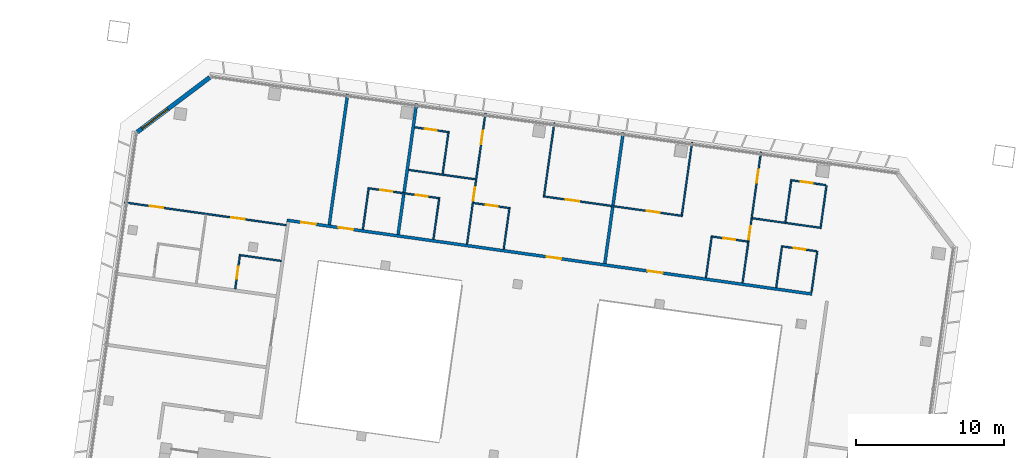
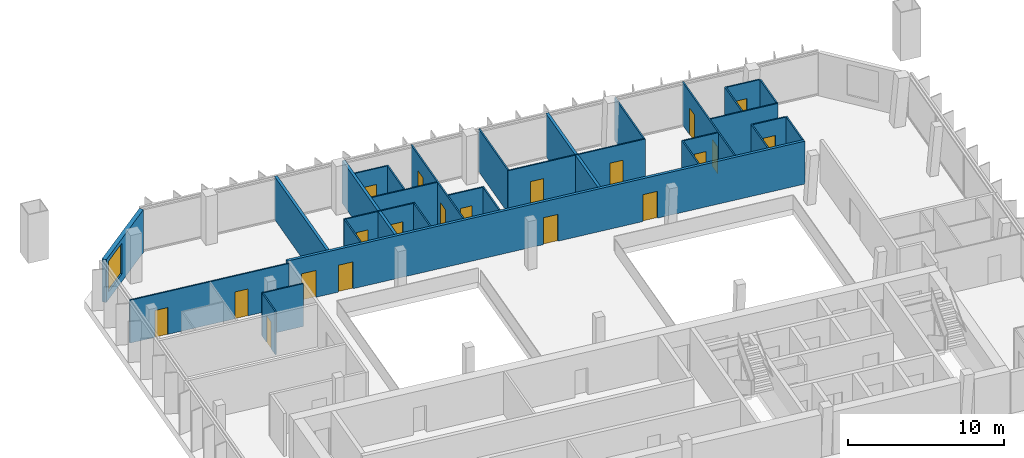
# One storey, part 15 of 22: 30 walls, 20 doors, 1 window, 21 openings.
"""IFC4 building model written with IfcOpenShell, lengths in metres."""

from ifc_helpers import new_model, si_unit, direction, frame, frame_2d, origin, place, context, subcontext, project, spatial, rectangle, extrude, material, layer, layer_set, type_object, element, fill, save


model = new_model("IFC4")

# Units and contexts
model_context = context("Model", 3, precision=1e-05, world=origin(), true_north=direction((0.0, 1.0)))
body_context = subcontext(model_context, "Body", "Model", "MODEL_VIEW")
ifc_project = project(units=[si_unit("LENGTHUNIT", "METRE"), si_unit("AREAUNIT", "SQUARE_METRE"), si_unit("VOLUMEUNIT", "CUBIC_METRE"), si_unit("PLANEANGLEUNIT", "RADIAN"), si_unit("MASSUNIT", "GRAM", prefix="KILO")], contexts=[model_context])

# Site, building, storey
site_placement = place(None, origin())
site = spatial("IfcSite", under=ifc_project, at=site_placement, CompositionType="ELEMENT")
building_placement = place(site_placement, origin())
building = spatial("IfcBuilding", under=site, at=building_placement, Name="Mirante Cascada Hotel Towers", CompositionType="ELEMENT")
storey_placement = place(building_placement, frame((0.0, 0.0, 191.6)))
storey = spatial("IfcBuildingStorey", under=building, at=storey_placement, Name="L45", CompositionType="ELEMENT", Elevation=191.6)

# Wall, openings, doors
ifc_material_1 = material(Name="Fire-rated plasterboard on metal studs")
ifc_layer_1 = layer(ifc_material_1, 0.2)
ifc_layer_set_1 = layer_set([ifc_layer_1], Name="Compartment wall 200 EI 120")
wall_type_1 = type_object("IfcWallType", Name="Compartment wall 200 EI 120", PredefinedType="PARTITIONING", material=ifc_layer_set_1)
wall_1_placement = place(storey_placement, frame((-71.1898, 13.8871, 0.0), z_axis=(0.0, 0.0, 1.0), x_axis=(0.9902683, -0.1391713, 0.0)))
wall_1 = element("IfcWall", 1, at=wall_1_placement, inside=storey, type_object=wall_type_1, Name="Wall 1-L45-15", PredefinedType="PARTITIONING", context=body_context, shape_type="SweptSolid", body=[
    extrude(rectangle(XDim=35.7322, YDim=0.2, at=frame_2d((17.8661, 0.0))), origin(), (0.0, 0.0, 1.0), 3.35),
])
opening_1_placement = place(wall_1_placement, frame((24.5615, 0.0, 0.0)))
opening_1 = element("IfcOpeningElement", 2, at=opening_1_placement, cuts=wall_1, Name="Opening D1-L45-06", PredefinedType="OPENING", context=body_context, shape_type="SweptSolid", body=[
    extrude(rectangle(XDim=1.0, YDim=2.1, at=frame_2d((0.5, 1.05))), frame((0.0, 0.1, 0.0), z_axis=(0.0, -1.0, 0.0), x_axis=(1.0, 0.0, 0.0)), (0.0, 0.0, 1.0), 0.2),
])
opening_2_placement = place(wall_1_placement, frame((17.6814, 0.0, 0.0)))
opening_2 = element("IfcOpeningElement", 3, at=opening_2_placement, cuts=wall_1, Name="Opening D1-L45-07", PredefinedType="OPENING", context=body_context, shape_type="SweptSolid", body=[
    extrude(rectangle(XDim=1.0, YDim=2.1, at=frame_2d((0.5, 1.05))), frame((0.0, 0.1, 0.0), z_axis=(0.0, -1.0, 0.0), x_axis=(1.0, 0.0, 0.0)), (0.0, 0.0, 1.0), 0.2),
])
opening_3_placement = place(wall_1_placement, frame((3.5173, 0.0, 0.0)))
opening_3 = element("IfcOpeningElement", 4, at=opening_3_placement, cuts=wall_1, Name="Opening D1-L45-08", PredefinedType="OPENING", context=body_context, shape_type="SweptSolid", body=[
    extrude(rectangle(XDim=1.0, YDim=2.1, at=frame_2d((0.5, 1.05))), frame((0.0, 0.1, 0.0), z_axis=(0.0, -1.0, 0.0), x_axis=(1.0, 0.0, 0.0)), (0.0, 0.0, 1.0), 0.2),
])
opening_4_placement = place(wall_1_placement, frame((0.9869, 0.0, 0.0)))
opening_4 = element("IfcOpeningElement", 5, at=opening_4_placement, cuts=wall_1, Name="Opening D1-L45-09", PredefinedType="OPENING", context=body_context, shape_type="SweptSolid", body=[
    extrude(rectangle(XDim=1.0, YDim=2.1, at=frame_2d((0.5, 1.05))), frame((0.0, 0.1, 0.0), z_axis=(0.0, -1.0, 0.0), x_axis=(1.0, 0.0, 0.0)), (0.0, 0.0, 1.0), 0.2),
])
ifc_material_2 = material(Name="Fire-rated timber door leaf", Category="wood")
door_type_1 = type_object("IfcDoorType", Name="Entrance door DG1 1000x2100 EI 60", OperationType="SINGLE_SWING_LEFT", PredefinedType="DOOR", material=ifc_material_2)
door_1_placement = place(opening_1_placement, origin())
door_1 = element("IfcDoor", 6, at=door_1_placement, inside=storey, type_object=door_type_1, Name="Door D1-L45-06", OperationType="SINGLE_SWING_LEFT", OverallHeight=2.1, OverallWidth=1.0, PredefinedType="DOOR", context=body_context, shape_type="SweptSolid", body=[
    extrude(rectangle(XDim=1.0, YDim=2.1, at=frame_2d((0.5, 1.05))), frame((0.0, 0.025, 0.0), z_axis=(0.0, -1.0, 0.0), x_axis=(1.0, 0.0, 0.0)), (0.0, 0.0, 1.0), 0.05),
])
fill(opening_1, door_1)
door_2_placement = place(opening_2_placement, origin())
door_2 = element("IfcDoor", 7, at=door_2_placement, inside=storey, type_object=door_type_1, Name="Door D1-L45-07", OperationType="SINGLE_SWING_LEFT", OverallHeight=2.1, OverallWidth=1.0, PredefinedType="DOOR", context=body_context, shape_type="SweptSolid", body=[
    extrude(rectangle(XDim=1.0, YDim=2.1, at=frame_2d((0.5, 1.05))), frame((0.0, 0.025, 0.0), z_axis=(0.0, -1.0, 0.0), x_axis=(1.0, 0.0, 0.0)), (0.0, 0.0, 1.0), 0.05),
])
fill(opening_2, door_2)
door_3_placement = place(opening_3_placement, origin())
door_3 = element("IfcDoor", 8, at=door_3_placement, inside=storey, type_object=door_type_1, Name="Door D1-L45-08", OperationType="SINGLE_SWING_LEFT", OverallHeight=2.1, OverallWidth=1.0, PredefinedType="DOOR", context=body_context, shape_type="SweptSolid", body=[
    extrude(rectangle(XDim=1.0, YDim=2.1, at=frame_2d((0.5, 1.05))), frame((0.0, 0.025, 0.0), z_axis=(0.0, -1.0, 0.0), x_axis=(1.0, 0.0, 0.0)), (0.0, 0.0, 1.0), 0.05),
])
fill(opening_3, door_3)
door_4_placement = place(opening_4_placement, origin())
door_4 = element("IfcDoor", 9, at=door_4_placement, inside=storey, type_object=door_type_1, Name="Door D1-L45-09", OperationType="SINGLE_SWING_LEFT", OverallHeight=2.1, OverallWidth=1.0, PredefinedType="DOOR", context=body_context, shape_type="SweptSolid", body=[
    extrude(rectangle(XDim=1.0, YDim=2.1, at=frame_2d((0.5, 1.05))), frame((0.0, 0.025, 0.0), z_axis=(0.0, -1.0, 0.0), x_axis=(1.0, 0.0, 0.0)), (0.0, 0.0, 1.0), 0.05),
])
fill(opening_4, door_4)

# Walls
for number, where, z_axis, x_axis, name in (
    (10, (-49.7649, 10.977, 0.0), (0.0, 0.0, 1.0), (0.1391684, 0.9902687, 0.0), "Wall 1-L45-38"),
    (11, (-63.6888, 12.9339, 0.0), (0.0, 0.0, 1.0), (0.1391794, 0.9902672, 0.0), "Wall 1-L45-44"),
    (12, (-68.33, 13.5862, 0.0), (0.0, 0.0, 1.0), (0.1391684, 0.9902687, 0.0), "Wall 1-L45-46"),
):
    element("IfcWall", number, at=place(storey_placement, frame(where, z_axis=z_axis, x_axis=x_axis)), inside=storey, type_object=wall_type_1, Name=name, PredefinedType="PARTITIONING", context=body_context, shape_type="SweptSolid", body=[
        extrude(rectangle(XDim=8.9, YDim=0.2, at=frame_2d((4.45, 0.0))), origin(), (0.0, 0.0, 1.0), 3.35),
    ])
ifc_material_3 = material(Name="Plasterboard on metal studs")
ifc_layer_2 = layer(ifc_material_3, 0.1)
ifc_layer_set_2 = layer_set([ifc_layer_2], Name="Partition 100")
wall_type_2 = type_object("IfcWallType", Name="Partition 100", PredefinedType="PARTITIONING", material=ifc_layer_set_2)
wall_2_placement = place(storey_placement, frame((-71.5748, 11.1473, 0.0), z_axis=(0.0, 0.0, 1.0), x_axis=(-0.9902656, 0.1391909, 0.0)))
element("IfcWall", 13, at=wall_2_placement, inside=storey, type_object=wall_type_2, Name="Wall 1-L45-12", PredefinedType="PARTITIONING", context=body_context, shape_type="SweptSolid", body=[
    extrude(rectangle(XDim=2.85, YDim=0.1, at=frame_2d((1.425, 0.0))), origin(), (0.0, 0.0, 1.0), 3.35),
])

# Wall, openings, doors
wall_3_placement = place(storey_placement, frame((-71.2362, 13.5571, 0.0), z_axis=(0.0, 0.0, 1.0), x_axis=(-0.990268, 0.1391733, 0.0)))
wall_3 = element("IfcWall", 14, at=wall_3_placement, inside=storey, type_object=wall_type_2, Name="Wall 1-L45-14", PredefinedType="PARTITIONING", context=body_context, shape_type="SweptSolid", body=[
    extrude(rectangle(XDim=11.0, YDim=0.1, at=frame_2d((5.5, 0.0))), origin(), (0.0, 0.0, 1.0), 3.35),
])
opening_5_placement = place(wall_3_placement, frame((2.825, 0.0, 0.0)))
opening_5 = element("IfcOpeningElement", 15, at=opening_5_placement, cuts=wall_3, Name="Opening D1-L45-04", PredefinedType="OPENING", context=body_context, shape_type="SweptSolid", body=[
    extrude(rectangle(XDim=0.9, YDim=2.1, at=frame_2d((0.45, 1.05))), frame((0.0, 0.05, 0.0), z_axis=(0.0, -1.0, 0.0), x_axis=(1.0, 0.0, 0.0)), (0.0, 0.0, 1.0), 0.1),
])
opening_6_placement = place(wall_3_placement, frame((8.375, 0.0, 0.0)))
opening_6 = element("IfcOpeningElement", 16, at=opening_6_placement, cuts=wall_3, Name="Opening D1-L45-05", PredefinedType="OPENING", context=body_context, shape_type="SweptSolid", body=[
    extrude(rectangle(XDim=0.9, YDim=2.1, at=frame_2d((0.45, 1.05))), frame((0.0, 0.05, 0.0), z_axis=(0.0, -1.0, 0.0), x_axis=(1.0, 0.0, 0.0)), (0.0, 0.0, 1.0), 0.1),
])
ifc_material_4 = material(Name="Timber door leaf", Category="wood")
door_type_2 = type_object("IfcDoorType", Name="Room door DG3 900x2100", OperationType="SINGLE_SWING_LEFT", PredefinedType="DOOR", material=ifc_material_4)
door_5_placement = place(opening_5_placement, frame((0.9, 0.0, 0.0), z_axis=(0.0, 0.0, 1.0), x_axis=(-1.0, 0.0, 0.0)))
door_5 = element("IfcDoor", 17, at=door_5_placement, inside=storey, type_object=door_type_2, Name="Door D1-L45-04", OperationType="SINGLE_SWING_RIGHT", OverallHeight=2.1, OverallWidth=0.9, PredefinedType="DOOR", context=body_context, shape_type="SweptSolid", body=[
    extrude(rectangle(XDim=0.9, YDim=2.1, at=frame_2d((0.45, 1.05))), frame((0.0, 0.025, 0.0), z_axis=(0.0, -1.0, 0.0), x_axis=(1.0, 0.0, 0.0)), (0.0, 0.0, 1.0), 0.05),
])
fill(opening_5, door_5)
door_6_placement = place(opening_6_placement, frame((0.9, 0.0, 0.0), z_axis=(0.0, 0.0, 1.0), x_axis=(-1.0, 0.0, 0.0)))
door_6 = element("IfcDoor", 18, at=door_6_placement, inside=storey, type_object=door_type_2, Name="Door D1-L45-05", OperationType="SINGLE_SWING_RIGHT", OverallHeight=2.1, OverallWidth=0.9, PredefinedType="DOOR", context=body_context, shape_type="SweptSolid", body=[
    extrude(rectangle(XDim=0.9, YDim=2.1, at=frame_2d((0.45, 1.05))), frame((0.0, 0.025, 0.0), z_axis=(0.0, -1.0, 0.0), x_axis=(1.0, 0.0, 0.0)), (0.0, 0.0, 1.0), 0.05),
])
fill(opening_6, door_6)

# Wall, opening, door
wall_4_placement = place(storey_placement, frame((-35.5008, 11.7999, 0.0), z_axis=(0.0, 0.0, 1.0), x_axis=(-0.9902678, 0.1391749, 0.0)))
wall_4 = element("IfcWall", 19, at=wall_4_placement, inside=storey, type_object=wall_type_2, Name="Wall 1-L45-16", PredefinedType="PARTITIONING", context=body_context, shape_type="SweptSolid", body=[
    extrude(rectangle(XDim=2.3, YDim=0.1, at=frame_2d((1.15, 0.0))), origin(), (0.0, 0.0, 1.0), 3.35),
])
opening_7_placement = place(wall_4_placement, frame((0.75, 0.0, 0.0)))
opening_7 = element("IfcOpeningElement", 20, at=opening_7_placement, cuts=wall_4, Name="Opening D1-L45-10", PredefinedType="OPENING", context=body_context, shape_type="SweptSolid", body=[
    extrude(rectangle(XDim=0.8, YDim=2.1, at=frame_2d((0.4, 1.05))), frame((0.0, 0.05, 0.0), z_axis=(0.0, -1.0, 0.0), x_axis=(1.0, 0.0, 0.0)), (0.0, 0.0, 1.0), 0.1),
])
ifc_material_5 = material(Name="Timber door leaf", Category="wood")
door_type_3 = type_object("IfcDoorType", Name="Bathroom door DG4 800x2100", OperationType="SINGLE_SWING_LEFT", PredefinedType="DOOR", material=ifc_material_5)
door_7_placement = place(opening_7_placement, origin())
door_7 = element("IfcDoor", 21, at=door_7_placement, inside=storey, type_object=door_type_3, Name="Door D1-L45-10", OperationType="SINGLE_SWING_LEFT", OverallHeight=2.1, OverallWidth=0.8, PredefinedType="DOOR", context=body_context, shape_type="SweptSolid", body=[
    extrude(rectangle(XDim=0.8, YDim=2.1, at=frame_2d((0.4, 1.05))), frame((0.0, 0.025, 0.0), z_axis=(0.0, -1.0, 0.0), x_axis=(1.0, 0.0, 0.0)), (0.0, 0.0, 1.0), 0.05),
])
fill(opening_7, door_7)

wall_5_placement = place(storey_placement, frame((-42.5126, 12.7853, 0.0), z_axis=(0.0, 0.0, 1.0), x_axis=(0.9902653, -0.1391927, 0.0)))
wall_5 = element("IfcWall", 22, at=wall_5_placement, inside=storey, type_object=wall_type_2, Name="Wall 1-L45-17", PredefinedType="PARTITIONING", context=body_context, shape_type="SweptSolid", body=[
    extrude(rectangle(XDim=2.3938, YDim=0.1, at=frame_2d((1.1969, 0.0))), origin(), (0.0, 0.0, 1.0), 3.35),
])
opening_8_placement = place(wall_5_placement, frame((0.75, 0.0, 0.0)))
opening_8 = element("IfcOpeningElement", 23, at=opening_8_placement, cuts=wall_5, Name="Opening D1-L45-11", PredefinedType="OPENING", context=body_context, shape_type="SweptSolid", body=[
    extrude(rectangle(XDim=0.8, YDim=2.1, at=frame_2d((0.4, 1.05))), frame((0.0, 0.05, 0.0), z_axis=(0.0, -1.0, 0.0), x_axis=(1.0, 0.0, 0.0)), (0.0, 0.0, 1.0), 0.1),
])
door_8_placement = place(opening_8_placement, origin())
door_8 = element("IfcDoor", 24, at=door_8_placement, inside=storey, type_object=door_type_3, Name="Door D1-L45-11", OperationType="SINGLE_SWING_LEFT", OverallHeight=2.1, OverallWidth=0.8, PredefinedType="DOOR", context=body_context, shape_type="SweptSolid", body=[
    extrude(rectangle(XDim=0.8, YDim=2.1, at=frame_2d((0.4, 1.05))), frame((0.0, 0.025, 0.0), z_axis=(0.0, -1.0, 0.0), x_axis=(1.0, 0.0, 0.0)), (0.0, 0.0, 1.0), 0.05),
])
fill(opening_8, door_8)

wall_6_placement = place(storey_placement, frame((-56.2378, 14.7143, 0.0), z_axis=(0.0, 0.0, 1.0), x_axis=(-0.9902711, 0.1391518, 0.0)))
wall_6 = element("IfcWall", 25, at=wall_6_placement, inside=storey, type_object=wall_type_2, Name="Wall 1-L45-18", PredefinedType="PARTITIONING", context=body_context, shape_type="SweptSolid", body=[
    extrude(rectangle(XDim=2.3938, YDim=0.1, at=frame_2d((1.1969, 0.0))), origin(), (0.0, 0.0, 1.0), 3.35),
])
opening_9_placement = place(wall_6_placement, frame((0.75, 0.0, 0.0)))
opening_9 = element("IfcOpeningElement", 26, at=opening_9_placement, cuts=wall_6, Name="Opening D1-L45-12", PredefinedType="OPENING", context=body_context, shape_type="SweptSolid", body=[
    extrude(rectangle(XDim=0.8, YDim=2.1, at=frame_2d((0.4, 1.05))), frame((0.0, 0.05, 0.0), z_axis=(0.0, -1.0, 0.0), x_axis=(1.0, 0.0, 0.0)), (0.0, 0.0, 1.0), 0.1),
])
door_9_placement = place(opening_9_placement, frame((0.8, 0.0, 0.0), z_axis=(0.0, 0.0, 1.0), x_axis=(-1.0, 0.0, 0.0)))
door_9 = element("IfcDoor", 27, at=door_9_placement, inside=storey, type_object=door_type_3, Name="Door D1-L45-12", OperationType="SINGLE_SWING_RIGHT", OverallHeight=2.1, OverallWidth=0.8, PredefinedType="DOOR", context=body_context, shape_type="SweptSolid", body=[
    extrude(rectangle(XDim=0.8, YDim=2.1, at=frame_2d((0.4, 1.05))), frame((0.0, 0.025, 0.0), z_axis=(0.0, -1.0, 0.0), x_axis=(1.0, 0.0, 0.0)), (0.0, 0.0, 1.0), 0.05),
])
fill(opening_9, door_9)

# Wall, openings, doors
wall_7_placement = place(storey_placement, frame((-65.7252, 16.0476, 0.0), z_axis=(0.0, 0.0, 1.0), x_axis=(0.9902694, -0.1391638, 0.0)))
wall_7 = element("IfcWall", 28, at=wall_7_placement, inside=storey, type_object=wall_type_2, Name="Wall 1-L45-19", PredefinedType="PARTITIONING", context=body_context, shape_type="SweptSolid", body=[
    extrude(rectangle(XDim=4.9, YDim=0.1, at=frame_2d((2.45, 0.0))), origin(), (0.0, 0.0, 1.0), 3.35),
])
opening_10_placement = place(wall_7_placement, frame((3.25, 0.0, 0.0)))
opening_10 = element("IfcOpeningElement", 29, at=opening_10_placement, cuts=wall_7, Name="Opening D1-L45-13", PredefinedType="OPENING", context=body_context, shape_type="SweptSolid", body=[
    extrude(rectangle(XDim=0.8, YDim=2.1, at=frame_2d((0.4, 1.05))), frame((0.0, 0.05, 0.0), z_axis=(0.0, -1.0, 0.0), x_axis=(1.0, 0.0, 0.0)), (0.0, 0.0, 1.0), 0.1),
])
opening_11_placement = place(wall_7_placement, frame((0.85, 0.0, 0.0)))
opening_11 = element("IfcOpeningElement", 30, at=opening_11_placement, cuts=wall_7, Name="Opening D1-L45-14", PredefinedType="OPENING", context=body_context, shape_type="SweptSolid", body=[
    extrude(rectangle(XDim=0.8, YDim=2.1, at=frame_2d((0.4, 1.05))), frame((0.0, 0.05, 0.0), z_axis=(0.0, -1.0, 0.0), x_axis=(1.0, 0.0, 0.0)), (0.0, 0.0, 1.0), 0.1),
])
door_10_placement = place(opening_10_placement, frame((0.8, 0.0, 0.0), z_axis=(0.0, 0.0, 1.0), x_axis=(-1.0, 0.0, 0.0)))
door_10 = element("IfcDoor", 31, at=door_10_placement, inside=storey, type_object=door_type_3, Name="Door D1-L45-13", OperationType="SINGLE_SWING_RIGHT", OverallHeight=2.1, OverallWidth=0.8, PredefinedType="DOOR", context=body_context, shape_type="SweptSolid", body=[
    extrude(rectangle(XDim=0.8, YDim=2.1, at=frame_2d((0.4, 1.05))), frame((0.0, 0.025, 0.0), z_axis=(0.0, -1.0, 0.0), x_axis=(1.0, 0.0, 0.0)), (0.0, 0.0, 1.0), 0.05),
])
fill(opening_10, door_10)
door_11_placement = place(opening_11_placement, origin())
door_11 = element("IfcDoor", 32, at=door_11_placement, inside=storey, type_object=door_type_3, Name="Door D1-L45-14", OperationType="SINGLE_SWING_LEFT", OverallHeight=2.1, OverallWidth=0.8, PredefinedType="DOOR", context=body_context, shape_type="SweptSolid", body=[
    extrude(rectangle(XDim=0.8, YDim=2.1, at=frame_2d((0.4, 1.05))), frame((0.0, 0.025, 0.0), z_axis=(0.0, -1.0, 0.0), x_axis=(1.0, 0.0, 0.0)), (0.0, 0.0, 1.0), 0.05),
])
fill(opening_11, door_11)

wall_8_placement = place(storey_placement, frame((-44.5312, 14.1798, 0.0), z_axis=(0.0, 0.0, 1.0), x_axis=(-0.9902682, 0.1391719, 0.0)))
wall_8 = element("IfcWall", 33, at=wall_8_placement, inside=storey, type_object=wall_type_2, Name="Wall 1-L45-20", PredefinedType="PARTITIONING", context=body_context, shape_type="SweptSolid", body=[
    extrude(rectangle(XDim=9.4739, YDim=0.1, at=frame_2d((4.737, 0.0))), origin(), (0.0, 0.0, 1.0), 3.35),
])
opening_12_placement = place(wall_8_placement, frame((1.537, 0.0, 0.0)))
opening_12 = element("IfcOpeningElement", 34, at=opening_12_placement, cuts=wall_8, Name="Opening D1-L45-15", PredefinedType="OPENING", context=body_context, shape_type="SweptSolid", body=[
    extrude(rectangle(XDim=0.9, YDim=2.1, at=frame_2d((0.45, 1.05))), frame((0.0, 0.05, 0.0), z_axis=(0.0, -1.0, 0.0), x_axis=(1.0, 0.0, 0.0)), (0.0, 0.0, 1.0), 0.1),
])
opening_13_placement = place(wall_8_placement, frame((7.037, 0.0, 0.0)))
opening_13 = element("IfcOpeningElement", 35, at=opening_13_placement, cuts=wall_8, Name="Opening D1-L45-16", PredefinedType="OPENING", context=body_context, shape_type="SweptSolid", body=[
    extrude(rectangle(XDim=0.9, YDim=2.1, at=frame_2d((0.45, 1.05))), frame((0.0, 0.05, 0.0), z_axis=(0.0, -1.0, 0.0), x_axis=(1.0, 0.0, 0.0)), (0.0, 0.0, 1.0), 0.1),
])
door_12_placement = place(opening_12_placement, frame((0.9, 0.0, 0.0), z_axis=(0.0, 0.0, 1.0), x_axis=(-1.0, 0.0, 0.0)))
door_12 = element("IfcDoor", 36, at=door_12_placement, inside=storey, type_object=door_type_2, Name="Door D1-L45-15", OperationType="SINGLE_SWING_RIGHT", OverallHeight=2.1, OverallWidth=0.9, PredefinedType="DOOR", context=body_context, shape_type="SweptSolid", body=[
    extrude(rectangle(XDim=0.9, YDim=2.1, at=frame_2d((0.45, 1.05))), frame((0.0, 0.025, 0.0), z_axis=(0.0, -1.0, 0.0), x_axis=(1.0, 0.0, 0.0)), (0.0, 0.0, 1.0), 0.05),
])
fill(opening_12, door_12)
door_13_placement = place(opening_13_placement, frame((0.9, 0.0, 0.0), z_axis=(0.0, 0.0, 1.0), x_axis=(-1.0, 0.0, 0.0)))
door_13 = element("IfcDoor", 37, at=door_13_placement, inside=storey, type_object=door_type_2, Name="Door D1-L45-16", OperationType="SINGLE_SWING_RIGHT", OverallHeight=2.1, OverallWidth=0.9, PredefinedType="DOOR", context=body_context, shape_type="SweptSolid", body=[
    extrude(rectangle(XDim=0.9, YDim=2.1, at=frame_2d((0.45, 1.05))), frame((0.0, 0.025, 0.0), z_axis=(0.0, -1.0, 0.0), x_axis=(1.0, 0.0, 0.0)), (0.0, 0.0, 1.0), 0.05),
])
fill(opening_13, door_13)

# Walls
wall_9_placement = place(storey_placement, frame((-39.8203, 14.0227, 0.0), z_axis=(0.0, 0.0, 1.0), x_axis=(0.9902674, -0.1391777, 0.0)))
element("IfcWall", 38, at=wall_9_placement, inside=storey, type_object=wall_type_2, Name="Wall 1-L45-21", PredefinedType="PARTITIONING", context=body_context, shape_type="SweptSolid", body=[
    extrude(rectangle(XDim=4.6868, YDim=0.1, at=frame_2d((2.3434, 0.0))), origin(), (0.0, 0.0, 1.0), 3.35),
])
wall_10_placement = place(storey_placement, frame((-58.4846, 16.6458, 0.0), z_axis=(0.0, 0.0, 1.0), x_axis=(-0.9902687, 0.1391684, 0.0)))
element("IfcWall", 39, at=wall_10_placement, inside=storey, type_object=wall_type_2, Name="Wall 1-L45-22", PredefinedType="PARTITIONING", context=body_context, shape_type="SweptSolid", body=[
    extrude(rectangle(XDim=4.537, YDim=0.1, at=frame_2d((2.2685, 0.0))), origin(), (0.0, 0.0, 1.0), 3.35),
])

# Wall, opening, door
wall_11_placement = place(storey_placement, frame((-37.1521, 16.5762, 0.0), z_axis=(0.0, 0.0, 1.0), x_axis=(0.9902678, -0.1391749, 0.0)))
wall_11 = element("IfcWall", 40, at=wall_11_placement, inside=storey, type_object=wall_type_2, Name="Wall 1-L45-23", PredefinedType="PARTITIONING", context=body_context, shape_type="SweptSolid", body=[
    extrude(rectangle(XDim=2.3, YDim=0.1, at=frame_2d((1.15, 0.0))), origin(), (0.0, 0.0, 1.0), 3.35),
])
opening_14_placement = place(wall_11_placement, frame((0.6, 0.0, 0.0)))
opening_14 = element("IfcOpeningElement", 41, at=opening_14_placement, cuts=wall_11, Name="Opening D1-L45-17", PredefinedType="OPENING", context=body_context, shape_type="SweptSolid", body=[
    extrude(rectangle(XDim=0.8, YDim=2.1, at=frame_2d((0.4, 1.05))), frame((0.0, 0.05, 0.0), z_axis=(0.0, -1.0, 0.0), x_axis=(1.0, 0.0, 0.0)), (0.0, 0.0, 1.0), 0.1),
])
door_14_placement = place(opening_14_placement, frame((0.8, 0.0, 0.0), z_axis=(0.0, 0.0, 1.0), x_axis=(-1.0, 0.0, 0.0)))
door_14 = element("IfcDoor", 42, at=door_14_placement, inside=storey, type_object=door_type_3, Name="Door D1-L45-17", OperationType="SINGLE_SWING_RIGHT", OverallHeight=2.1, OverallWidth=0.8, PredefinedType="DOOR", context=body_context, shape_type="SweptSolid", body=[
    extrude(rectangle(XDim=0.8, YDim=2.1, at=frame_2d((0.4, 1.05))), frame((0.0, 0.025, 0.0), z_axis=(0.0, -1.0, 0.0), x_axis=(1.0, 0.0, 0.0)), (0.0, 0.0, 1.0), 0.05),
])
fill(opening_14, door_14)

wall_12_placement = place(storey_placement, frame((-60.3457, 19.8358, 0.0), z_axis=(0.0, 0.0, 1.0), x_axis=(-0.9902705, 0.1391561, 0.0)))
wall_12 = element("IfcWall", 43, at=wall_12_placement, inside=storey, type_object=wall_type_2, Name="Wall 1-L45-24", PredefinedType="PARTITIONING", context=body_context, shape_type="SweptSolid", body=[
    extrude(rectangle(XDim=2.25, YDim=0.1, at=frame_2d((1.125, 0.0))), origin(), (0.0, 0.0, 1.0), 3.35),
])
opening_15_placement = place(wall_12_placement, frame((0.75, 0.0, 0.0)))
opening_15 = element("IfcOpeningElement", 44, at=opening_15_placement, cuts=wall_12, Name="Opening D1-L45-18", PredefinedType="OPENING", context=body_context, shape_type="SweptSolid", body=[
    extrude(rectangle(XDim=0.8, YDim=2.1, at=frame_2d((0.4, 1.05))), frame((0.0, 0.05, 0.0), z_axis=(0.0, -1.0, 0.0), x_axis=(1.0, 0.0, 0.0)), (0.0, 0.0, 1.0), 0.1),
])
door_15_placement = place(opening_15_placement, origin())
door_15 = element("IfcDoor", 45, at=door_15_placement, inside=storey, type_object=door_type_3, Name="Door D1-L45-18", OperationType="SINGLE_SWING_LEFT", OverallHeight=2.1, OverallWidth=0.8, PredefinedType="DOOR", context=body_context, shape_type="SweptSolid", body=[
    extrude(rectangle(XDim=0.8, YDim=2.1, at=frame_2d((0.4, 1.05))), frame((0.0, 0.025, 0.0), z_axis=(0.0, -1.0, 0.0), x_axis=(1.0, 0.0, 0.0)), (0.0, 0.0, 1.0), 0.05),
])
fill(opening_15, door_15)

# Walls
wall_13_placement = place(storey_placement, frame((-35.4485, 11.8127, 0.0), z_axis=(0.0, 0.0, 1.0), x_axis=(-0.1391779, -0.9902674, 0.0)))
element("IfcWall", 46, at=wall_13_placement, inside=storey, type_object=wall_type_2, Name="Wall 1-L45-31", PredefinedType="PARTITIONING", context=body_context, shape_type="SweptSolid", body=[
    extrude(rectangle(XDim=2.79, YDim=0.1, at=frame_2d((1.395, 0.0))), origin(), (0.0, 0.0, 1.0), 3.35),
])
wall_14_placement = place(storey_placement, frame((-35.2174, 13.4565, 0.0), z_axis=(0.0, 0.0, 1.0), x_axis=(0.139173, 0.9902681, 0.0)))
element("IfcWall", 47, at=wall_14_placement, inside=storey, type_object=wall_type_2, Name="Wall 1-L45-32", PredefinedType="PARTITIONING", context=body_context, shape_type="SweptSolid", body=[
    extrude(rectangle(XDim=2.7901, YDim=0.1, at=frame_2d((1.395, 0.0))), origin(), (0.0, 0.0, 1.0), 3.35),
])
wall_15_placement = place(storey_placement, frame((-37.8209, 12.1764, 0.0), z_axis=(0.0, 0.0, 1.0), x_axis=(-0.1391957, -0.9902649, 0.0)))
element("IfcWall", 48, at=wall_15_placement, inside=storey, type_object=wall_type_2, Name="Wall 1-L45-33", PredefinedType="PARTITIONING", context=body_context, shape_type="SweptSolid", body=[
    extrude(rectangle(XDim=2.8499, YDim=0.1, at=frame_2d((1.425, 0.0))), origin(), (0.0, 0.0, 1.0), 3.35),
])
wall_16_placement = place(storey_placement, frame((-37.5983, 13.7609, 0.0), z_axis=(0.0, 0.0, 1.0), x_axis=(0.1391761, 0.9902676, 0.0)))
element("IfcWall", 49, at=wall_16_placement, inside=storey, type_object=wall_type_2, Name="Wall 1-L45-34", PredefinedType="PARTITIONING", context=body_context, shape_type="SweptSolid", body=[
    extrude(rectangle(XDim=2.8999, YDim=0.1, at=frame_2d((1.45, 0.0))), origin(), (0.0, 0.0, 1.0), 3.35),
])

# Wall, openings, doors
wall_17_placement = place(storey_placement, frame((-39.2436, 18.4858, 0.0), z_axis=(0.0, 0.0, 1.0), x_axis=(-0.1391684, -0.9902687, 0.0)))
wall_17 = element("IfcWall", 50, at=wall_17_placement, inside=storey, type_object=wall_type_2, Name="Wall 1-L45-35", PredefinedType="PARTITIONING", context=body_context, shape_type="SweptSolid", body=[
    extrude(rectangle(XDim=8.9, YDim=0.1, at=frame_2d((4.45, 0.0))), origin(), (0.0, 0.0, 1.0), 3.35),
])
opening_16_placement = place(wall_17_placement, frame((5.05, 0.0, 0.0)))
opening_16 = element("IfcOpeningElement", 51, at=opening_16_placement, cuts=wall_17, Name="Opening D1-L45-24", PredefinedType="OPENING", context=body_context, shape_type="SweptSolid", body=[
    extrude(rectangle(XDim=0.9, YDim=2.1, at=frame_2d((0.45, 1.05))), frame((0.0, 0.05, 0.0), z_axis=(0.0, -1.0, 0.0), x_axis=(1.0, 0.0, 0.0)), (0.0, 0.0, 1.0), 0.1),
])
opening_17_placement = place(wall_17_placement, frame((1.2, 0.0, 0.0)))
opening_17 = element("IfcOpeningElement", 52, at=opening_17_placement, cuts=wall_17, Name="Opening D1-L45-25", PredefinedType="OPENING", context=body_context, shape_type="SweptSolid", body=[
    extrude(rectangle(XDim=0.9, YDim=2.1, at=frame_2d((0.45, 1.05))), frame((0.0, 0.05, 0.0), z_axis=(0.0, -1.0, 0.0), x_axis=(1.0, 0.0, 0.0)), (0.0, 0.0, 1.0), 0.1),
])
door_16_placement = place(opening_16_placement, frame((0.9, 0.0, 0.0), z_axis=(0.0, 0.0, 1.0), x_axis=(-1.0, 0.0, 0.0)))
door_16 = element("IfcDoor", 53, at=door_16_placement, inside=storey, type_object=door_type_2, Name="Door D1-L45-24", OperationType="SINGLE_SWING_RIGHT", OverallHeight=2.1, OverallWidth=0.9, PredefinedType="DOOR", context=body_context, shape_type="SweptSolid", body=[
    extrude(rectangle(XDim=0.9, YDim=2.1, at=frame_2d((0.45, 1.05))), frame((0.0, 0.025, 0.0), z_axis=(0.0, -1.0, 0.0), x_axis=(1.0, 0.0, 0.0)), (0.0, 0.0, 1.0), 0.05),
])
fill(opening_16, door_16)
door_17_placement = place(opening_17_placement, frame((0.9, 0.0, 0.0), z_axis=(0.0, 0.0, 1.0), x_axis=(-1.0, 0.0, 0.0)))
door_17 = element("IfcDoor", 54, at=door_17_placement, inside=storey, type_object=door_type_2, Name="Door D1-L45-25", OperationType="SINGLE_SWING_RIGHT", OverallHeight=2.1, OverallWidth=0.9, PredefinedType="DOOR", context=body_context, shape_type="SweptSolid", body=[
    extrude(rectangle(XDim=0.9, YDim=2.1, at=frame_2d((0.45, 1.05))), frame((0.0, 0.025, 0.0), z_axis=(0.0, -1.0, 0.0), x_axis=(1.0, 0.0, 0.0)), (0.0, 0.0, 1.0), 0.05),
])
fill(opening_17, door_17)

# Walls
wall_18_placement = place(storey_placement, frame((-42.9518, 10.0195, 0.0), z_axis=(0.0, 0.0, 1.0), x_axis=(0.1391909, 0.9902656, 0.0)))
element("IfcWall", 55, at=wall_18_placement, inside=storey, type_object=wall_type_2, Name="Wall 1-L45-36", PredefinedType="PARTITIONING", context=body_context, shape_type="SweptSolid", body=[
    extrude(rectangle(XDim=2.85, YDim=0.1, at=frame_2d((1.425, 0.0))), origin(), (0.0, 0.0, 1.0), 3.35),
])
for number, where, z_axis, x_axis, name in (
    (56, (-43.8849, 19.1381, 0.0), (0.0, 0.0, 1.0), (-0.1391725, -0.9902682, 0.0), "Wall 1-L45-37"),
    (57, (-53.1675, 20.4427, 0.0), (0.0, 0.0, 1.0), (-0.1391923, -0.9902654, 0.0), "Wall 1-L45-39"),
):
    element("IfcWall", number, at=place(storey_placement, frame(where, z_axis=z_axis, x_axis=x_axis)), inside=storey, type_object=wall_type_2, Name=name, PredefinedType="PARTITIONING", context=body_context, shape_type="SweptSolid", body=[
        extrude(rectangle(XDim=4.95, YDim=0.1, at=frame_2d((2.475, 0.0))), origin(), (0.0, 0.0, 1.0), 3.35),
    ])
wall_19_placement = place(storey_placement, frame((-56.5779, 11.9345, 0.0), z_axis=(0.0, 0.0, 1.0), x_axis=(0.1391564, 0.9902704, 0.0)))
element("IfcWall", 58, at=wall_19_placement, inside=storey, type_object=wall_type_2, Name="Wall 1-L45-40", PredefinedType="PARTITIONING", context=body_context, shape_type="SweptSolid", body=[
    extrude(rectangle(XDim=2.85, YDim=0.1, at=frame_2d((1.425, 0.0))), origin(), (0.0, 0.0, 1.0), 3.35),
])

# Wall, openings, doors
wall_20_placement = place(storey_placement, frame((-57.8088, 21.095, 0.0), z_axis=(0.0, 0.0, 1.0), x_axis=(-0.1391794, -0.9902672, 0.0)))
wall_20 = element("IfcWall", 59, at=wall_20_placement, inside=storey, type_object=wall_type_2, Name="Wall 1-L45-41", PredefinedType="PARTITIONING", context=body_context, shape_type="SweptSolid", body=[
    extrude(rectangle(XDim=8.9, YDim=0.1, at=frame_2d((4.45, 0.0))), origin(), (0.0, 0.0, 1.0), 3.35),
])
opening_18_placement = place(wall_20_placement, frame((5.05, 0.0, 0.0)))
opening_18 = element("IfcOpeningElement", 60, at=opening_18_placement, cuts=wall_20, Name="Opening D1-L45-26", PredefinedType="OPENING", context=body_context, shape_type="SweptSolid", body=[
    extrude(rectangle(XDim=0.9, YDim=2.1, at=frame_2d((0.45, 1.05))), frame((0.0, 0.05, 0.0), z_axis=(0.0, -1.0, 0.0), x_axis=(1.0, 0.0, 0.0)), (0.0, 0.0, 1.0), 0.1),
])
opening_19_placement = place(wall_20_placement, frame((1.2, 0.0, 0.0)))
opening_19 = element("IfcOpeningElement", 61, at=opening_19_placement, cuts=wall_20, Name="Opening D1-L45-27", PredefinedType="OPENING", context=body_context, shape_type="SweptSolid", body=[
    extrude(rectangle(XDim=0.9, YDim=2.1, at=frame_2d((0.45, 1.05))), frame((0.0, 0.05, 0.0), z_axis=(0.0, -1.0, 0.0), x_axis=(1.0, 0.0, 0.0)), (0.0, 0.0, 1.0), 0.1),
])
door_18_placement = place(opening_18_placement, origin())
door_18 = element("IfcDoor", 62, at=door_18_placement, inside=storey, type_object=door_type_2, Name="Door D1-L45-26", OperationType="SINGLE_SWING_LEFT", OverallHeight=2.1, OverallWidth=0.9, PredefinedType="DOOR", context=body_context, shape_type="SweptSolid", body=[
    extrude(rectangle(XDim=0.9, YDim=2.1, at=frame_2d((0.45, 1.05))), frame((0.0, 0.025, 0.0), z_axis=(0.0, -1.0, 0.0), x_axis=(1.0, 0.0, 0.0)), (0.0, 0.0, 1.0), 0.05),
])
fill(opening_18, door_18)
door_19_placement = place(opening_19_placement, origin())
door_19 = element("IfcDoor", 63, at=door_19_placement, inside=storey, type_object=door_type_2, Name="Door D1-L45-27", OperationType="SINGLE_SWING_LEFT", OverallHeight=2.1, OverallWidth=0.9, PredefinedType="DOOR", context=body_context, shape_type="SweptSolid", body=[
    extrude(rectangle(XDim=0.9, YDim=2.1, at=frame_2d((0.45, 1.05))), frame((0.0, 0.025, 0.0), z_axis=(0.0, -1.0, 0.0), x_axis=(1.0, 0.0, 0.0)), (0.0, 0.0, 1.0), 0.05),
])
fill(opening_19, door_19)

# Walls
wall_21_placement = place(storey_placement, frame((-61.3121, 12.5999, 0.0), z_axis=(0.0, 0.0, 1.0), x_axis=(0.1391657, 0.9902691, 0.0)))
element("IfcWall", 64, at=wall_21_placement, inside=storey, type_object=wall_type_2, Name="Wall 1-L45-42", PredefinedType="PARTITIONING", context=body_context, shape_type="SweptSolid", body=[
    extrude(rectangle(XDim=2.75, YDim=0.1, at=frame_2d((1.375, 0.0))), origin(), (0.0, 0.0, 1.0), 3.35),
])
wall_22_placement = place(storey_placement, frame((-60.2892, 19.8784, 0.0), z_axis=(0.0, 0.0, 1.0), x_axis=(-0.1391714, -0.9902683, 0.0)))
element("IfcWall", 65, at=wall_22_placement, inside=storey, type_object=wall_type_2, Name="Wall 1-L45-43", PredefinedType="PARTITIONING", context=body_context, shape_type="SweptSolid", body=[
    extrude(rectangle(XDim=2.9, YDim=0.1, at=frame_2d((1.45, 0.0))), origin(), (0.0, 0.0, 1.0), 3.35),
])
wall_23_placement = place(storey_placement, frame((-65.6827, 15.9912, 0.0), z_axis=(0.0, 0.0, 1.0), x_axis=(-0.1391607, -0.9902698, 0.0)))
element("IfcWall", 66, at=wall_23_placement, inside=storey, type_object=wall_type_2, Name="Wall 1-L45-45", PredefinedType="PARTITIONING", context=body_context, shape_type="SweptSolid", body=[
    extrude(rectangle(XDim=2.7501, YDim=0.1, at=frame_2d((1.3751, 0.0))), origin(), (0.0, 0.0, 1.0), 3.35),
])

# Wall, opening, door
wall_24_placement = place(storey_placement, frame((-74.6677, 9.2594, 0.0), z_axis=(0.0, 0.0, 1.0), x_axis=(0.1391561, 0.9902705, 0.0)))
wall_24 = element("IfcWall", 67, at=wall_24_placement, inside=storey, type_object=wall_type_2, Name="Wall 1-L45-48", PredefinedType="PARTITIONING", context=body_context, shape_type="SweptSolid", body=[
    extrude(rectangle(XDim=2.25, YDim=0.1, at=frame_2d((1.125, 0.0))), origin(), (0.0, 0.0, 1.0), 3.35),
])
opening_20_placement = place(wall_24_placement, frame((0.7, 0.0, 0.0)))
opening_20 = element("IfcOpeningElement", 68, at=opening_20_placement, cuts=wall_24, Name="Opening D1-L45-29", PredefinedType="OPENING", context=body_context, shape_type="SweptSolid", body=[
    extrude(rectangle(XDim=0.8, YDim=2.1, at=frame_2d((0.4, 1.05))), frame((0.0, 0.05, 0.0), z_axis=(0.0, -1.0, 0.0), x_axis=(1.0, 0.0, 0.0)), (0.0, 0.0, 1.0), 0.1),
])
door_20_placement = place(opening_20_placement, frame((0.8, 0.0, 0.0), z_axis=(0.0, 0.0, 1.0), x_axis=(-1.0, 0.0, 0.0)))
door_20 = element("IfcDoor", 69, at=door_20_placement, inside=storey, type_object=door_type_3, Name="Door D1-L45-29", OperationType="SINGLE_SWING_RIGHT", OverallHeight=2.1, OverallWidth=0.8, PredefinedType="DOOR", context=body_context, shape_type="SweptSolid", body=[
    extrude(rectangle(XDim=0.8, YDim=2.1, at=frame_2d((0.4, 1.05))), frame((0.0, 0.025, 0.0), z_axis=(0.0, -1.0, 0.0), x_axis=(1.0, 0.0, 0.0)), (0.0, 0.0, 1.0), 0.05),
])
fill(opening_20, door_20)

# Wall, opening, window
ifc_material_6 = material(Name="Precast concrete C40/50", Category="concrete")
ifc_layer_3 = layer(ifc_material_6, 0.3)
ifc_layer_set_3 = layer_set([ifc_layer_3], Name="Precast concrete C40/50 cladding wall 300")
wall_type_3 = type_object("IfcWallType", Name="Precast concrete C40/50 cladding wall 300", PredefinedType="STANDARD", material=ifc_layer_set_3)
wall_25_placement = place(storey_placement, frame((-81.2671, 19.8291, 0.0), z_axis=(0.0, 0.0, 1.0), x_axis=(0.7986343, 0.6018167, 0.0)))
wall_25 = element("IfcWall", 70, at=wall_25_placement, inside=storey, type_object=wall_type_3, Name="Corner cladding wall T1 L45 outer front", PredefinedType="STANDARD", context=body_context, shape_type="SweptSolid", body=[
    extrude(rectangle(XDim=6.1158, YDim=0.3, at=frame_2d((3.0579, 0.0))), origin(), (0.0, 0.0, 1.0), 3.35),
])
opening_21_placement = place(wall_25_placement, frame((0.3914, 0.0, 0.6)))
opening_21 = element("IfcOpeningElement", 71, at=opening_21_placement, cuts=wall_25, Name="Opening W1-45-02", PredefinedType="OPENING", context=body_context, shape_type="SweptSolid", body=[
    extrude(rectangle(XDim=2.2, YDim=2.4, at=frame_2d((1.1, 1.2))), frame((0.0, 0.15, 0.0), z_axis=(0.0, -1.0, 0.0), x_axis=(1.0, 0.0, 0.0)), (0.0, 0.0, 1.0), 0.3),
])
ifc_material_7 = material(Name="Aluminium frame with clear double glazing", Category="aluminium")
window_type = type_object("IfcWindowType", Name="Corner suite window 2200x2400", PartitioningType="DOUBLE_PANEL_VERTICAL", PredefinedType="WINDOW", material=ifc_material_7)
window_placement = place(opening_21_placement, origin())
window = element("IfcWindow", 72, at=window_placement, inside=storey, type_object=window_type, Name="Window W1-45-02", OverallHeight=2.4, OverallWidth=2.2, PartitioningType="SINGLE_PANEL", PredefinedType="WINDOW", context=body_context, shape_type="SweptSolid", body=[
    extrude(rectangle(XDim=2.2, YDim=2.4, at=frame_2d((1.1, 1.2))), frame((0.0, 0.03, 0.0), z_axis=(0.0, -1.0, 0.0), x_axis=(1.0, 0.0, 0.0)), (0.0, 0.0, 1.0), 0.06),
])
fill(opening_21, window)

save(model, "model.ifc")
